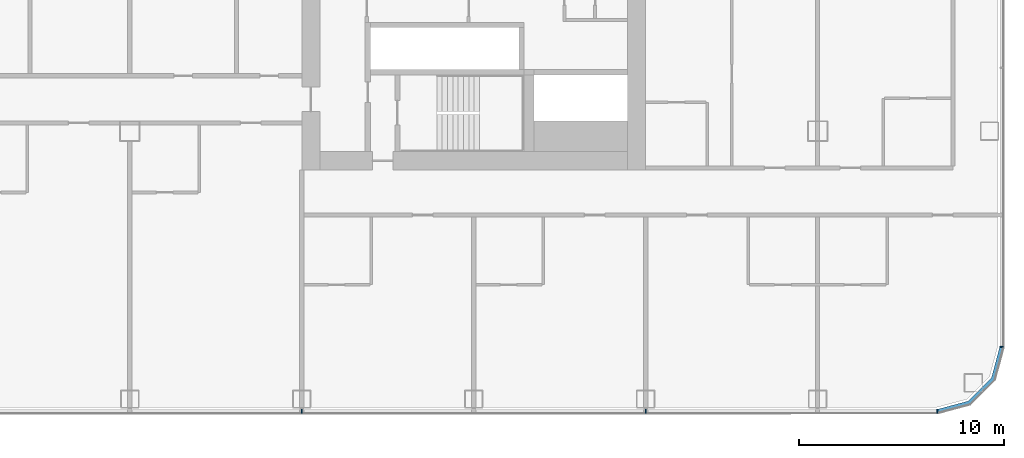
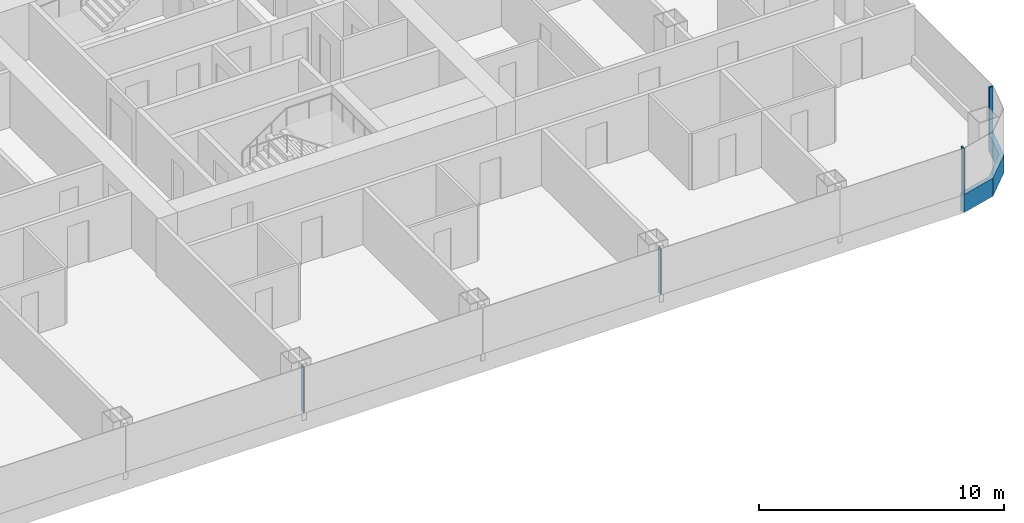
# One storey, part 9 of 28: 5 members, 3 elements without a shape of their own.
"""IFC4 building model written with IfcOpenShell, lengths in metres."""

from ifc_helpers import new_model, si_unit, direction, frame, origin, origin_2d, place, context, subcontext, project, spatial, polyline, rectangle, outline, extrude, material, layer, layer_set, material_profile, profile_set, type_object, element, aggregate, save


model = new_model("IFC4")

# Units and contexts
model_context = context("Model", 3, precision=1e-05, world=origin(), true_north=direction((0.0, 1.0)))
body_context = subcontext(model_context, "Body", "Model", "MODEL_VIEW")
ifc_project = project(units=[si_unit("LENGTHUNIT", "METRE"), si_unit("AREAUNIT", "SQUARE_METRE"), si_unit("VOLUMEUNIT", "CUBIC_METRE"), si_unit("PLANEANGLEUNIT", "RADIAN"), si_unit("MASSUNIT", "GRAM", prefix="KILO")], contexts=[model_context])

# Site, building, storey
site_placement = place(None, origin())
site = spatial("IfcSite", under=ifc_project, at=site_placement, CompositionType="ELEMENT")
building_placement = place(site_placement, origin())
building = spatial("IfcBuilding", under=site, at=building_placement, Name="Hakoniwa Tower and Hamabe Station Hall", CompositionType="ELEMENT")
storey_placement = place(building_placement, frame((0.0, 0.0, 35.800048828125)))
storey = spatial("IfcBuildingStorey", under=building, at=storey_placement, Name="L09", CompositionType="ELEMENT", Elevation=35.800048828125)

# Curtain wall, member
ifc_material_1 = material(Name="Dark low-e laminated glass", Category="glass")
ifc_layer = layer(ifc_material_1, 0.199951171875)
ifc_layer_set = layer_set([ifc_layer], Name="CW-1 UNITISED GUEST")
curtain_wall_type = type_object("IfcCurtainWallType", Name="CW-1 UNITISED GUEST", PredefinedType="NOTDEFINED", material=ifc_layer_set)
curtain_wall_1_placement = place(storey_placement, origin())
curtain_wall_1 = element("IfcCurtainWall", 1, at=curtain_wall_1_placement, inside=storey, type_object=curtain_wall_type, Name="CW-1 curtain wall", PredefinedType="NOTDEFINED")
ifc_material_2 = material(Name="Aluminium 6063-T5 black anodised", Category="aluminium")
ifc_material_profile_1 = material_profile(ifc_material_2, rectangle(XDim=0.199951171875, YDim=0.89990234375, at=origin_2d()), Name="CW SLAB-EDGE BAND 900X200")
ifc_profile_set_1 = profile_set([ifc_material_profile_1], Name="Aluminium 6063-T5 black anodised")
member_type_1 = type_object("IfcMemberType", Name="CW SLAB-EDGE BAND 900X200", PredefinedType="USERDEFINED", material=ifc_profile_set_1)
member_1_placement = place(storey_placement, frame((0.0, 0.0, -0.550048828125)))
member_1 = element("IfcMember", 2, at=member_1_placement, type_object=member_type_1, Name="CW-1 transom", ObjectType="TRANSOM", PredefinedType="USERDEFINED", context=body_context, shape_type="SweptSolid", body=[
    extrude(outline(polyline([(47.839599609375, -20.300048828125), (49.455322265625, -19.866943359375), (50.6669921875, -18.6552734375), (51.10009765625, -17.03955078125), (50.90673828125, -16.98779296875), (50.48779296875, -18.5517578125), (49.351806640625, -19.687744140625), (47.787841796875, -20.10693359375), (47.839599609375, -20.300048828125)])), origin(), (0.0, 0.0, 1.0), 0.89990234375),
])
aggregate(curtain_wall_1, [member_1])

curtain_wall_2_placement = place(storey_placement, origin())
curtain_wall_2 = element("IfcCurtainWall", 3, at=curtain_wall_2_placement, inside=storey, type_object=curtain_wall_type, Name="CW-1 curtain wall", PredefinedType="NOTDEFINED")
ifc_material_3 = material(Name="Aluminium 6063-T5 black anodised", Category="aluminium")
ifc_material_profile_2 = material_profile(ifc_material_3, rectangle(XDim=0.06005859375, YDim=0.179931640625, at=origin_2d()), Name="CW-1 MULLION 60X180")
ifc_profile_set_2 = profile_set([ifc_material_profile_2], Name="Aluminium 6063-T5 black anodised")
member_type_2 = type_object("IfcMemberType", Name="CW-1 MULLION 60X180", PredefinedType="MULLION", material=ifc_profile_set_2)
member_2_placement = place(storey_placement, frame((50.98193359375, -17.03955078125, 0.349853515625), z_axis=(0.0, 0.0, 1.0), x_axis=(0.0, 1.0, 0.0)))
member_2 = element("IfcMember", 4, at=member_2_placement, type_object=member_type_2, Name="CW-1 mullion", PredefinedType="MULLION", context=body_context, shape_type="SweptSolid", body=[
    extrude(rectangle(XDim=0.06005859375, YDim=0.179931640625, at=origin_2d()), origin(), (0.0, 0.0, 1.0), 2.300048828125),
])
aggregate(curtain_wall_2, [member_2])

# Curtain wall, members
curtain_wall_3_placement = place(storey_placement, origin())
curtain_wall_3 = element("IfcCurtainWall", 5, at=curtain_wall_3_placement, inside=storey, type_object=curtain_wall_type, Name="CW-1 curtain wall", PredefinedType="NOTDEFINED")
member_3_placement = place(storey_placement, frame((16.800048828125, -20.181884765625, 0.349853515625), z_axis=(0.0, 0.0, 1.0), x_axis=(1.0, 0.0, 0.0)))
member_3 = element("IfcMember", 6, at=member_3_placement, type_object=member_type_2, Name="CW-1 mullion", PredefinedType="MULLION", context=body_context, shape_type="SweptSolid", body=[
    extrude(rectangle(XDim=0.06005859375, YDim=0.179931640625, at=origin_2d()), origin(), (0.0, 0.0, 1.0), 2.300048828125),
])
member_4_placement = place(storey_placement, frame((33.60009765625, -20.181884765625, 0.349853515625), z_axis=(0.0, 0.0, 1.0), x_axis=(1.0, 0.0, 0.0)))
member_4 = element("IfcMember", 7, at=member_4_placement, type_object=member_type_2, Name="CW-1 mullion", PredefinedType="MULLION", context=body_context, shape_type="SweptSolid", body=[
    extrude(rectangle(XDim=0.06005859375, YDim=0.179931640625, at=origin_2d()), origin(), (0.0, 0.0, 1.0), 2.300048828125),
])
member_5_placement = place(storey_placement, frame((47.839599609375, -20.181884765625, 0.349853515625), z_axis=(0.0, 0.0, 1.0), x_axis=(1.0, 0.0, 0.0)))
member_5 = element("IfcMember", 8, at=member_5_placement, type_object=member_type_2, Name="CW-1 mullion", PredefinedType="MULLION", context=body_context, shape_type="SweptSolid", body=[
    extrude(rectangle(XDim=0.06005859375, YDim=0.179931640625, at=origin_2d()), origin(), (0.0, 0.0, 1.0), 2.300048828125),
])
aggregate(curtain_wall_3, [member_3, member_4, member_5])

save(model, "model.ifc")
